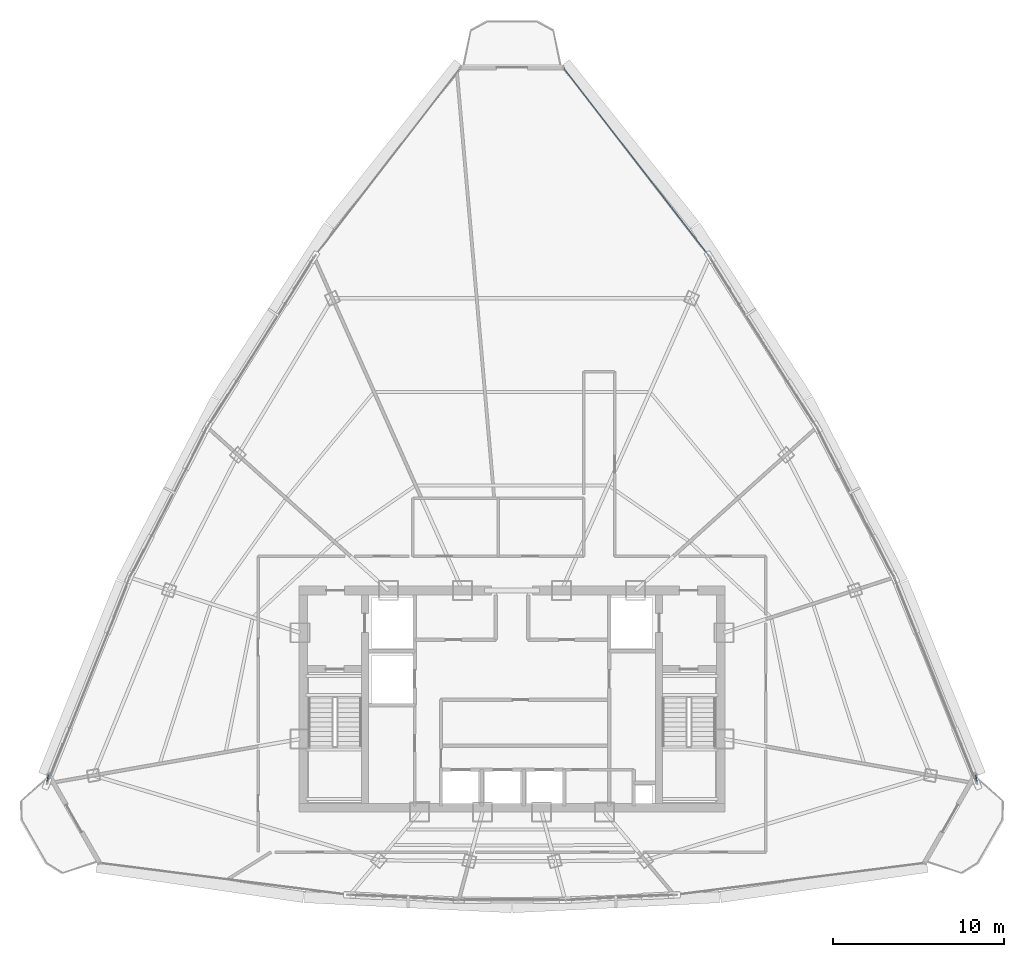
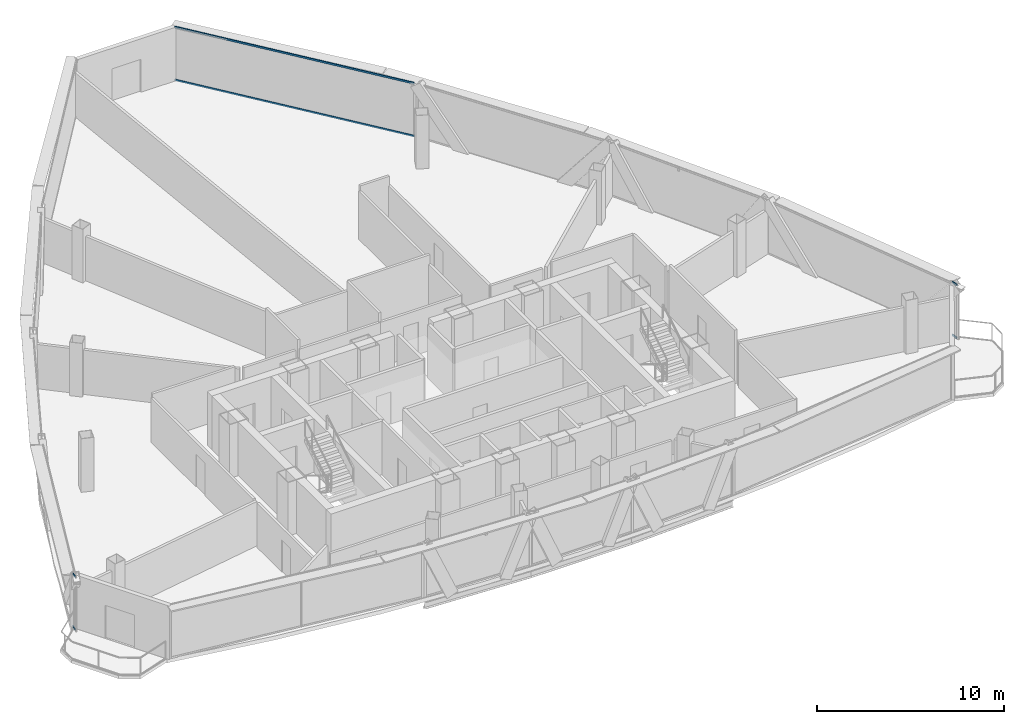
# One storey, part 21 of 30: 6 members, 3 elements without a shape of their own.
"""IFC4 building model written with IfcOpenShell, lengths in metres."""

import ifcopenshell
import ifcopenshell.guid

model = None  # the IFC model being written
_history = None  # IfcOwnerHistory: only IFC2X3 demands one
_inside = {}  # id of a spatial element -> (the spatial element, [elements in it])
_under = {}  # id of a project, library or spatial element -> (it, [spatial elements below it])
_declared = {}  # id of a project -> (the project, [libraries it declares])
_typed = {}  # id of a type object -> (the type object, [elements of that type])
_made_of = {}  # id of a material, layer set ... -> (it, [elements and type objects made of it])


def new_model(schema):
    """Start an empty IFC model of exactly this schema.

    Asked for "IFC4X3", IfcOpenShell would pick the latest addendum, in which some entities
    have other attributes; the version numbers below select the first issue.
    IFC2X3 requires an IfcOwnerHistory on every rooted entity: one is made here for all.
    """
    global model, _history
    if schema == "IFC4X3":
        model = ifcopenshell.file(schema_version=(4, 3, 0, 0))
    else:
        model = ifcopenshell.file(schema=schema)
    _inside.clear()
    _under.clear()
    _declared.clear()
    _typed.clear()
    _made_of.clear()
    _history = None
    if model.schema == "IFC2X3":
        org = make("IfcOrganization", Name="unknown")
        user = make(
            "IfcPersonAndOrganization",
            ThePerson=make("IfcPerson", FamilyName="unknown"),
            TheOrganization=org,
        )
        app = make(
            "IfcApplication",
            ApplicationDeveloper=org,
            Version="unknown",
            ApplicationFullName="unknown",
            ApplicationIdentifier="unknown",
        )
        _history = make(
            "IfcOwnerHistory",
            OwningUser=user,
            OwningApplication=app,
            ChangeAction="ADDED",
            CreationDate=0,
        )
    return model


def make(cls, **values):
    """One entity of the class cls with the attributes given. An attribute that is None is left unset."""
    return model.create_entity(
        cls, **{name: value for name, value in values.items() if value is not None}
    )


def rooted(cls, **values):
    """An entity with a GlobalId (a new one), such as an element, a storey or a relation."""
    return make(cls, GlobalId=ifcopenshell.guid.new(), OwnerHistory=_history, **values)


def si_unit(unit_type, name, prefix=None):
    """IfcSIUnit, for example si_unit("LENGTHUNIT", "METRE", prefix="MILLI")."""
    return make("IfcSIUnit", UnitType=unit_type, Prefix=prefix, Name=name)


def assignment(units):
    """IfcUnitAssignment: the units of a project."""
    return None if units is None else make("IfcUnitAssignment", Units=units)


def point(xyz):
    """IfcCartesianPoint."""
    return None if xyz is None else make("IfcCartesianPoint", Coordinates=xyz)


def direction(xyz):
    """IfcDirection."""
    return None if xyz is None else make("IfcDirection", DirectionRatios=xyz)


def frame(location, z_axis=None, x_axis=None):
    """IfcAxis2Placement3D, a coordinate frame: its origin and axes. An axis left out is left unset."""
    return make(
        "IfcAxis2Placement3D",
        Location=point(location),
        Axis=direction(z_axis),
        RefDirection=direction(x_axis),
    )


def frame_2d(location, x_axis=None):
    """IfcAxis2Placement2D, a coordinate frame in the plane: its origin and x axis."""
    return make(
        "IfcAxis2Placement2D", Location=point(location), RefDirection=direction(x_axis)
    )


def origin():
    """The frame at (0, 0, 0) with its axes left unset."""
    return frame((0.0, 0.0, 0.0))


def origin_2d():
    """The frame at (0, 0) in the plane with its x axis left unset."""
    return frame_2d((0.0, 0.0))


def place(relative_to, where):
    """IfcLocalPlacement: puts the frame where relative to a parent placement (None: the world)."""
    return make(
        "IfcLocalPlacement", PlacementRelTo=relative_to, RelativePlacement=where
    )


def context(
    kind, dimensions, precision=None, world=None, true_north=None, identifier=None
):
    """IfcGeometricRepresentationContext, for example the 3D "Model" context."""
    return make(
        "IfcGeometricRepresentationContext",
        ContextIdentifier=identifier,
        ContextType=kind,
        CoordinateSpaceDimension=dimensions,
        Precision=precision,
        WorldCoordinateSystem=world,
        TrueNorth=true_north,
    )


def subcontext(parent, identifier, kind, view, scale=None):
    """IfcGeometricRepresentationSubContext, for example "Body" below "Model"."""
    return make(
        "IfcGeometricRepresentationSubContext",
        ContextIdentifier=identifier,
        ContextType=kind,
        ParentContext=parent,
        TargetScale=scale,
        TargetView=view,
    )


def project(units=None, contexts=None):
    """IfcProject with its units and contexts."""
    return rooted(
        "IfcProject",
        Name="project",
        RepresentationContexts=contexts,
        UnitsInContext=assignment(units),
    )


def spatial(cls, under=None, at=None, **own):
    """A site, building, storey or space (cls), placed at a placement, below another one or the project."""
    s = rooted(cls, ObjectPlacement=at, **own)
    if under is not None:
        _under.setdefault(under.id(), (under, []))[1].append(s)
    return s


def profile(cls, at=None, kind="AREA", **sizes):
    """A parametric profile (cls). Its sizes go by their IFC names, for example OverallWidth=200.0."""
    return make(cls, ProfileType=kind, Position=at, **sizes)


def hollow_rectangle(**sizes):
    """IfcRectangleHollowProfileDef."""
    return profile("IfcRectangleHollowProfileDef", **sizes)


def extrude(swept, where, along, depth):
    """IfcExtrudedAreaSolid: the profile swept, set in the frame where, extruded along a direction by depth."""
    return make(
        "IfcExtrudedAreaSolid",
        SweptArea=swept,
        Position=where,
        ExtrudedDirection=direction(along),
        Depth=depth,
    )


def shape(context_of_items, identifier, shape_type, items):
    """IfcShapeRepresentation: the items that make up one representation, for example the "Body"."""
    return make(
        "IfcShapeRepresentation",
        ContextOfItems=context_of_items,
        RepresentationIdentifier=identifier,
        RepresentationType=shape_type,
        Items=items,
    )


def source(mapping_origin, context_of_items, identifier, shape_type, items):
    """IfcRepresentationMap: a shape defined once, which mapped items show again and again."""
    return make(
        "IfcRepresentationMap",
        MappingOrigin=mapping_origin,
        MappedRepresentation=shape(context_of_items, identifier, shape_type, items),
    )


def transform(
    local_origin,
    x_axis=None,
    y_axis=None,
    z_axis=None,
    scale=None,
    scale2=None,
    scale3=None,
    uniform=True,
):
    """IfcCartesianTransformationOperator3D, or its non-uniform kind. x_axis, y_axis, z_axis: its Axis1, 2, 3."""
    if uniform:
        return make(
            "IfcCartesianTransformationOperator3D",
            Axis1=direction(x_axis),
            Axis2=direction(y_axis),
            LocalOrigin=point(local_origin),
            Scale=scale,
            Axis3=direction(z_axis),
        )
    return make(
        "IfcCartesianTransformationOperator3DnonUniform",
        Axis1=direction(x_axis),
        Axis2=direction(y_axis),
        LocalOrigin=point(local_origin),
        Scale=scale,
        Axis3=direction(z_axis),
        Scale2=scale2,
        Scale3=scale3,
    )


def mapped(mapping_source, mapping_target):
    """IfcMappedItem: shows the shape of a source again, moved by a transform."""
    return make(
        "IfcMappedItem", MappingSource=mapping_source, MappingTarget=mapping_target
    )


def material(Name=None, Category=None):
    """IfcMaterial."""
    return make("IfcMaterial", Name=Name, Category=Category)


def layer(
    of_material, thickness, ventilated=None, Name=None, Category=None, Priority=None
):
    """IfcMaterialLayer: one layer of a wall or slab, of a material (None: an air gap)."""
    return make(
        "IfcMaterialLayer",
        Material=of_material,
        LayerThickness=thickness,
        IsVentilated=ventilated,
        Name=Name,
        Category=Category,
        Priority=Priority,
    )


def layer_set(layers, Name=None):
    """IfcMaterialLayerSet."""
    return make("IfcMaterialLayerSet", MaterialLayers=layers, LayerSetName=Name)


def material_profile(
    of_material, cross_section, Name=None, Category=None, Priority=None
):
    """IfcMaterialProfile: a cross section and its material."""
    return make(
        "IfcMaterialProfile",
        Name=Name,
        Material=of_material,
        Profile=cross_section,
        Priority=Priority,
        Category=Category,
    )


def profile_set(profiles, Name=None, composite=None):
    """IfcMaterialProfileSet."""
    return make(
        "IfcMaterialProfileSet",
        Name=Name,
        MaterialProfiles=profiles,
        CompositeProfile=composite,
    )


def made_of(thing, what):
    """Note that an element or type object is made of a material, layer set ...; save() writes the relation."""
    if what is not None:
        _made_of.setdefault(what.id(), (what, []))[1].append(thing)
    return thing


def type_object(cls, material=None, **own):
    """A type object (cls), such as IfcWallType, which elements share."""
    return made_of(rooted(cls, **own), material)


def element(
    cls,
    number,
    at=None,
    inside=None,
    cuts=None,
    type_object=None,
    material=None,
    context=None,
    identifier="Body",
    shape_type=None,
    held_by="IfcProductDefinitionShape",
    body=None,
    shapes=None,
    **own,
):
    """One element of the class cls, such as IfcWall. Its Tag is "e" and its number.

    at: its placement. inside: the storey or other place that contains it. cuts: it is an
    opening in that element (IfcRelVoidsElement). A single representation is given by context,
    identifier, shape_type and body (its items); several are given by shapes. held_by: the class
    of the entity that holds the representations. save() writes the other relations.
    """
    e = rooted(cls, Tag="e%d" % number, ObjectPlacement=at, **own)
    if body is not None:
        shapes = [shape(context, identifier, shape_type, body)]
    if shapes is not None:
        e.Representation = make(held_by, Representations=shapes)
    if inside is not None:
        _inside.setdefault(inside.id(), (inside, []))[1].append(e)
    if cuts is not None:
        rooted(
            "IfcRelVoidsElement", RelatingBuildingElement=cuts, RelatedOpeningElement=e
        )
    if type_object is not None:
        _typed.setdefault(type_object.id(), (type_object, []))[1].append(e)
    return made_of(e, material)


def aggregate(whole, parts):
    """IfcRelAggregates: a whole, such as a stair, and the parts it consists of."""
    return rooted("IfcRelAggregates", RelatingObject=whole, RelatedObjects=parts)


def save(model, path):
    """Write the relations noted so far, then the file.

    IfcRelAggregates (storeys below a building ...), IfcRelContainedInSpatialStructure (elements
    in a storey), IfcRelDefinesByType, IfcRelAssociatesMaterial and IfcRelDeclares: one each for
    every whole, place, type object, material and project.
    """
    for whole, parts in _under.values():
        aggregate(whole, parts)
    for where, things in _inside.values():
        rooted(
            "IfcRelContainedInSpatialStructure",
            RelatedElements=things,
            RelatingStructure=where,
        )
    for kind, things in _typed.values():
        rooted("IfcRelDefinesByType", RelatedObjects=things, RelatingType=kind)
    for what, things in _made_of.values():
        rooted("IfcRelAssociatesMaterial", RelatedObjects=things, RelatingMaterial=what)
    for by, libraries in _declared.values():
        rooted("IfcRelDeclares", RelatingContext=by, RelatedDefinitions=libraries)
    model.write(path)


model = new_model("IFC4")

# Units and contexts
model_context = context("Model", 3, precision=1e-05, world=origin(), true_north=direction((0.0, 1.0)))
body_context = subcontext(model_context, "Body", "Model", "MODEL_VIEW")
ifc_project = project(units=[si_unit("LENGTHUNIT", "METRE"), si_unit("AREAUNIT", "SQUARE_METRE"), si_unit("VOLUMEUNIT", "CUBIC_METRE"), si_unit("PLANEANGLEUNIT", "RADIAN"), si_unit("MASSUNIT", "GRAM", prefix="KILO"), si_unit("THERMODYNAMICTEMPERATUREUNIT", "KELVIN"), si_unit("POWERUNIT", "WATT")], contexts=[model_context])

# Site, building, storey
site_placement = place(None, origin())
site = spatial("IfcSite", under=ifc_project, at=site_placement, CompositionType="ELEMENT")
building_placement = place(site_placement, origin())
building = spatial("IfcBuilding", under=site, at=building_placement, Name="Yunzhuo Pagoda Commons", CompositionType="ELEMENT")
storey_placement = place(building_placement, frame((0.0, 0.0, 348.010009765625)))
storey = spatial("IfcBuildingStorey", under=building, at=storey_placement, Name="L87", CompositionType="ELEMENT", Elevation=348.010009765625)

# Curtain wall, members
ifc_material = material(Name="Anodized aluminium 6063-T6", Category="aluminium")
ifc_layer = layer(ifc_material, 0.139892578125)
ifc_layer_set = layer_set([ifc_layer], Name="Anodized aluminium 6063-T6")
curtain_wall_type = type_object("IfcCurtainWallType", Name="CW-HI High-Zone Ribbon Curtain Wall", PredefinedType="NOTDEFINED", material=ifc_layer_set)
curtain_wall_1_placement = place(storey_placement, origin())
curtain_wall_1 = element("IfcCurtainWall", 1, at=curtain_wall_1_placement, inside=storey, type_object=curtain_wall_type, Name="L87 curtain wall CW-L87-F2B1", PredefinedType="NOTDEFINED")
ifc_material_profile = material_profile(ifc_material, hollow_rectangle(XDim=0.054931640625, YDim=0.1201171875, WallThickness=0.00341796875, at=origin_2d()), Name="Anodized aluminium 6063-T6")
ifc_profile_set = profile_set([ifc_material_profile], Name="Anodized aluminium 6063-T6")
member_type = type_object("IfcMemberType", Name="CW-HI-T Transom RHS 120x55x3.5", PredefinedType="USERDEFINED", material=ifc_profile_set)
shared_shape_1 = source(origin(), body_context, "Body", "SweptSolid", [
    extrude(hollow_rectangle(XDim=0.054931640625, YDim=0.1201171875, WallThickness=0.00341796875, at=origin_2d()), origin(), (0.0, 0.0, 1.0), 0.380126953125),
])
member_1_placement = place(storey_placement, frame((75.115966796875, 29.414306640625, 0.027587890625), z_axis=(0.150319155513, -0.988637522799, 0.0), x_axis=(0.988637522799, 0.150319155513, 0.0)))
member_1 = element("IfcMember", 2, at=member_1_placement, type_object=member_type, Name="CW transom 1.1", ObjectType="TRANSOM", PredefinedType="USERDEFINED", context=body_context, shape_type="MappedRepresentation", body=[
    mapped(shared_shape_1, transform((0.0, 0.0, 0.0), scale=1.0)),
])
member_2_placement = place(storey_placement, frame((75.115966796875, 29.414306640625, 3.46240234375), z_axis=(0.150319155513, -0.988637522799, 0.0), x_axis=(0.988637522799, 0.150319155513, 0.0)))
member_2 = element("IfcMember", 3, at=member_2_placement, type_object=member_type, Name="CW transom 1.2", ObjectType="TRANSOM", PredefinedType="USERDEFINED", context=body_context, shape_type="MappedRepresentation", body=[
    mapped(shared_shape_1, transform((0.0, 0.0, 0.0), scale=1.0)),
])
aggregate(curtain_wall_1, [member_1, member_2])

curtain_wall_2_placement = place(storey_placement, origin())
curtain_wall_2 = element("IfcCurtainWall", 4, at=curtain_wall_2_placement, inside=storey, type_object=curtain_wall_type, Name="L87 curtain wall CW-L87-F3B5", PredefinedType="NOTDEFINED")
member_3_placement = place(storey_placement, frame((20.826904296875, 29.03857421875, 0.027587890625), z_axis=(0.150319155513, 0.988637522799, 0.0), x_axis=(-0.988637522799, 0.150319155513, 0.0)))
member_3 = element("IfcMember", 5, at=member_3_placement, type_object=member_type, Name="CW transom 1.1", ObjectType="TRANSOM", PredefinedType="USERDEFINED", context=body_context, shape_type="MappedRepresentation", body=[
    mapped(shared_shape_1, transform((0.0, 0.0, 0.0), scale=1.0)),
])
member_4_placement = place(storey_placement, frame((20.826904296875, 29.03857421875, 3.46240234375), z_axis=(0.150319155513, 0.988637522799, 0.0), x_axis=(-0.988637522799, 0.150319155513, 0.0)))
member_4 = element("IfcMember", 6, at=member_4_placement, type_object=member_type, Name="CW transom 1.2", ObjectType="TRANSOM", PredefinedType="USERDEFINED", context=body_context, shape_type="MappedRepresentation", body=[
    mapped(shared_shape_1, transform((0.0, 0.0, 0.0), scale=1.0)),
])
aggregate(curtain_wall_2, [member_3, member_4])

curtain_wall_3_placement = place(storey_placement, origin())
curtain_wall_3 = element("IfcCurtainWall", 7, at=curtain_wall_3_placement, inside=storey, type_object=curtain_wall_type, Name="L87 curtain wall CW-L87-F2B5", PredefinedType="NOTDEFINED")
shared_shape_2 = source(origin(), body_context, "Body", "SweptSolid", [
    extrude(hollow_rectangle(XDim=0.054931640625, YDim=0.1201171875, WallThickness=0.00341796875, at=origin_2d()), origin(), (0.0, 0.0, 1.0), 13.8232421875),
])
member_5_placement = place(storey_placement, frame((59.489501953125, 59.79833984375, 0.027587890625), z_axis=(-0.61190884163, 0.790928296077, 0.0), x_axis=(-0.790928296077, -0.61190884163, 0.0)))
member_5 = element("IfcMember", 8, at=member_5_placement, type_object=member_type, Name="CW transom 1.1", ObjectType="TRANSOM", PredefinedType="USERDEFINED", context=body_context, shape_type="MappedRepresentation", body=[
    mapped(shared_shape_2, transform((0.0, 0.0, 0.0), scale=1.0)),
])
member_6_placement = place(storey_placement, frame((59.489501953125, 59.79833984375, 3.46240234375), z_axis=(-0.61190884163, 0.790928296077, 0.0), x_axis=(-0.790928296077, -0.61190884163, 0.0)))
member_6 = element("IfcMember", 9, at=member_6_placement, type_object=member_type, Name="CW transom 1.2", ObjectType="TRANSOM", PredefinedType="USERDEFINED", context=body_context, shape_type="MappedRepresentation", body=[
    mapped(shared_shape_2, transform((0.0, 0.0, 0.0), scale=1.0)),
])
aggregate(curtain_wall_3, [member_5, member_6])

save(model, "model.ifc")
